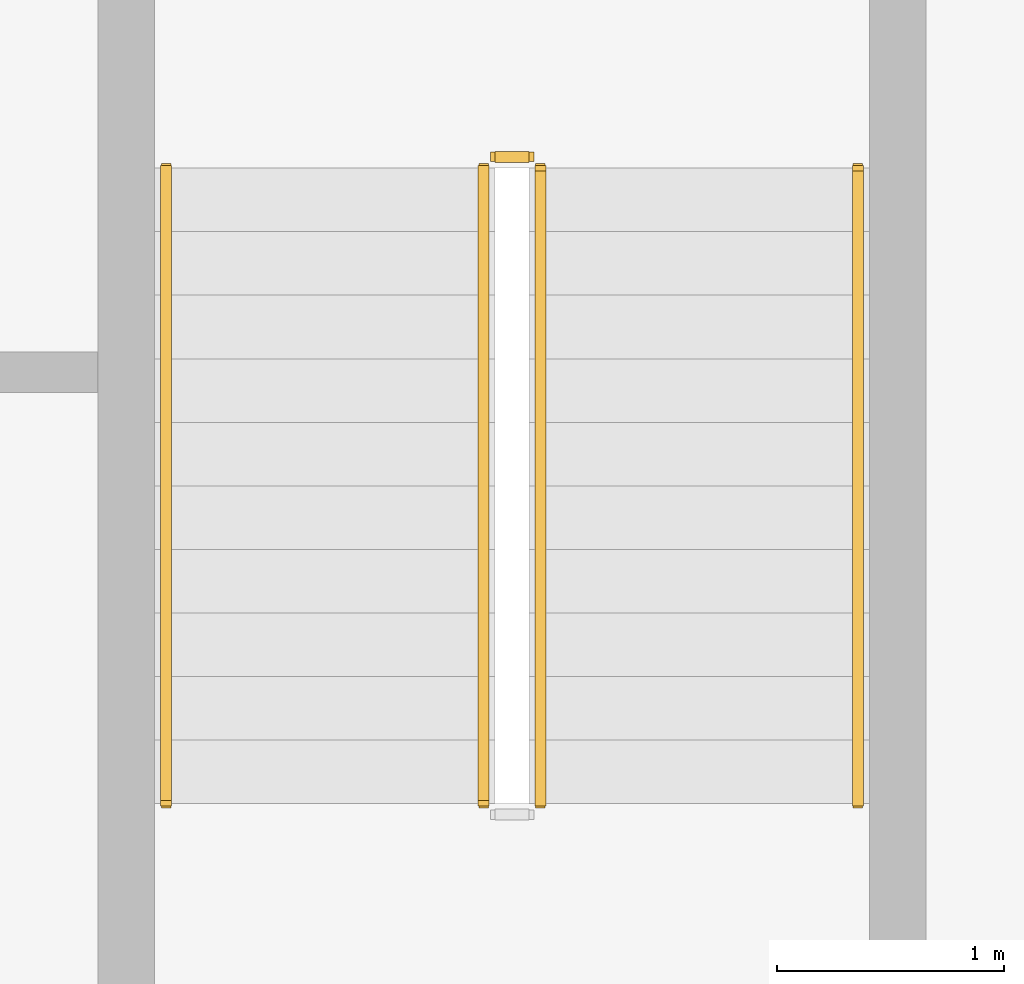
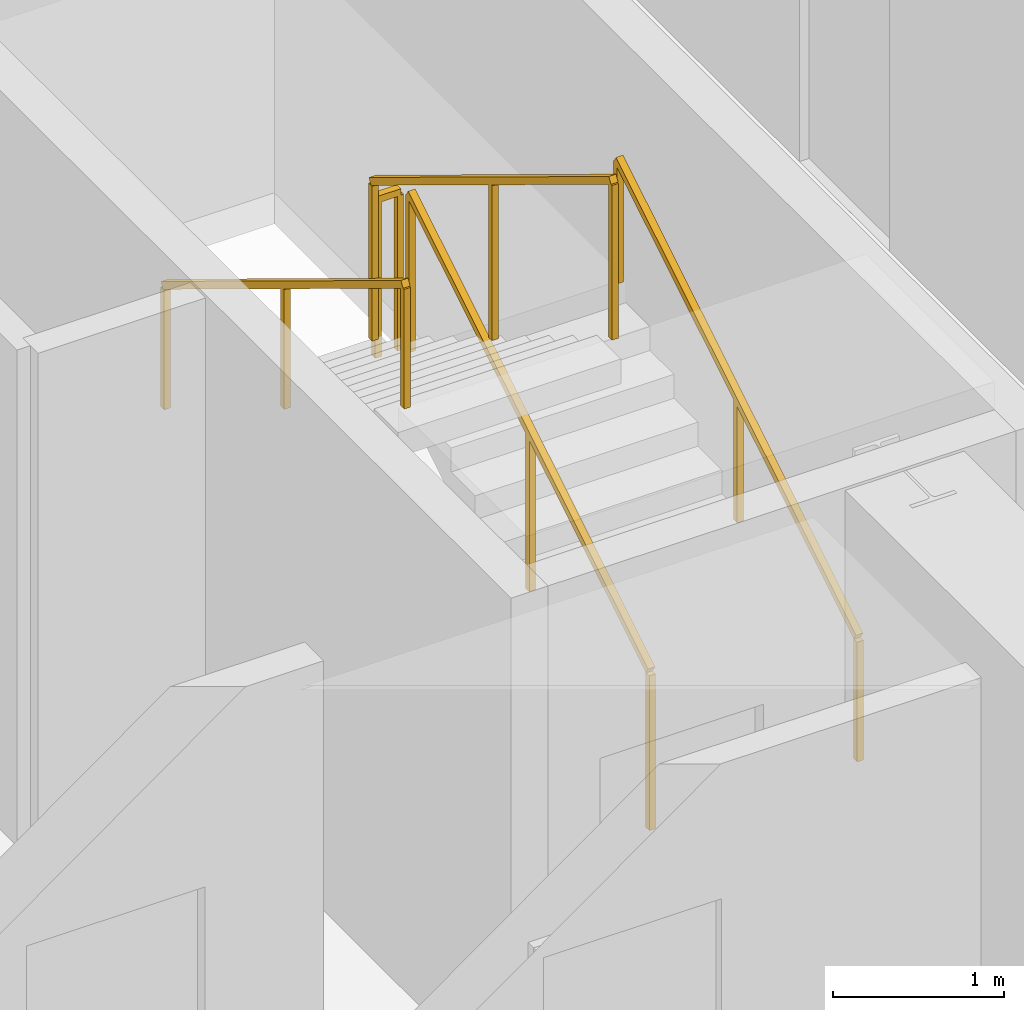
# One storey, part 16 of 16: 5 railings.
"""IFC4 building model written with IfcOpenShell, lengths in metres."""

from ifc_helpers import new_model, si_unit, direction, frame, origin, origin_2d, place, context, subcontext, project, spatial, rectangle, extrude, source, transform, mapped, material, type_object, element, save


model = new_model("IFC4")

# Units and contexts
model_context = context("Model", 3, precision=1e-05, world=origin(), true_north=direction((0.0, 1.0)))
body_context = subcontext(model_context, "Body", "Model", "MODEL_VIEW")
ifc_project = project(units=[si_unit("LENGTHUNIT", "METRE"), si_unit("AREAUNIT", "SQUARE_METRE"), si_unit("VOLUMEUNIT", "CUBIC_METRE"), si_unit("PLANEANGLEUNIT", "RADIAN"), si_unit("MASSUNIT", "GRAM", prefix="KILO")], contexts=[model_context])

# Site, building, storey
site_placement = place(None, origin())
site = spatial("IfcSite", under=ifc_project, at=site_placement, CompositionType="ELEMENT")
building_placement = place(site_placement, origin())
building = spatial("IfcBuilding", under=site, at=building_placement, Name="Vardaveli Station Tower", CompositionType="ELEMENT")
storey_placement = place(building_placement, frame((0.0, 0.0, 192.300048828125)))
storey = spatial("IfcBuildingStorey", under=building, at=storey_placement, Name="L49", CompositionType="ELEMENT", Elevation=192.300048828125)

# Railings
ifc_material = material(Name="Brushed AISI 316 stainless steel", Category="steel")
railing_type_1 = type_object("IfcRailingType", Name="RL-GUARD-1150", PredefinedType="GUARDRAIL", material=ifc_material)
shared_shape_1 = source(origin(), body_context, "Body", "SweptSolid", [
    extrude(rectangle(XDim=0.048095703125, YDim=0.048095703125, at=origin_2d()), frame((0.0, 0.0, 1.1259765625), z_axis=(-1.0, 0.0, 0.0), x_axis=(0.0, -1.0, 0.0)), (0.0, 0.0, 1.0), 0.14990234375),
    extrude(rectangle(XDim=0.0419921875, YDim=0.0419921875, at=origin_2d()), origin(), (0.0, 0.0, 1.0), 1.101806640625),
    extrude(rectangle(XDim=0.0419921875, YDim=0.0419921875, at=origin_2d()), frame((-0.14990234375, 0.0, 0.0)), (0.0, 0.0, 1.0), 1.101806640625),
])
railing_1_placement = place(storey_placement, frame((45.75, 35.25, 1.875)))
element("IfcRailing", 1, at=railing_1_placement, inside=storey, type_object=railing_type_1, Name="L49 ST-3 stair guard 2", PredefinedType="GUARDRAIL", context=body_context, shape_type="MappedRepresentation", body=[
    mapped(shared_shape_1, transform((0.0, 0.0, 0.0), scale=1.0)),
])
shared_shape_2 = source(origin(), body_context, "Body", "SweptSolid", [
    extrude(rectangle(XDim=0.048095703125, YDim=0.048095703125, at=origin_2d()), frame((0.0, 0.0, 1.1259765625), z_axis=(0.0, 0.854169791009, 0.51999420009), x_axis=(-1.0, 0.0, 0.0)), (0.0, 0.0, 1.0), 3.278076171875),
    extrude(rectangle(XDim=0.0419921875, YDim=0.0419921875, at=origin_2d()), origin(), (0.0, 0.0, 1.0), 1.101806640625),
    extrude(rectangle(XDim=0.0419921875, YDim=0.0419921875, at=origin_2d()), frame((0.0, 1.39990234375, 0.852294921875)), (0.0, 0.0, 1.0), 1.101806640625),
    extrude(rectangle(XDim=0.0419921875, YDim=0.0419921875, at=origin_2d()), frame((0.0, 2.800048828125, 1.70458984375)), (0.0, 0.0, 1.0), 1.101806640625),
])
railing_2_placement = place(storey_placement, frame((45.800048828125, 32.39990234375, 0.17041015625)))
element("IfcRailing", 2, at=railing_2_placement, inside=storey, type_object=railing_type_1, Name="L49 ST-3 stair guard 1", PredefinedType="GUARDRAIL", context=body_context, shape_type="MappedRepresentation", body=[
    mapped(shared_shape_2, transform((0.0, 0.0, 0.0), scale=1.0)),
])
shared_shape_3 = source(origin(), body_context, "Body", "SweptSolid", [
    extrude(rectangle(XDim=0.048095703125, YDim=0.048095703125, at=origin_2d()), frame((0.0, 0.0, 1.1259765625), z_axis=(0.0, -0.854169791009, 0.51999420009), x_axis=(1.0, 0.0, 0.0)), (0.0, 0.0, 1.0), 3.278076171875),
    extrude(rectangle(XDim=0.0419921875, YDim=0.0419921875, at=origin_2d()), origin(), (0.0, 0.0, 1.0), 1.101806640625),
    extrude(rectangle(XDim=0.0419921875, YDim=0.0419921875, at=origin_2d()), frame((0.0, -1.39990234375, 0.852294921875)), (0.0, 0.0, 1.0), 1.101806640625),
    extrude(rectangle(XDim=0.0419921875, YDim=0.0419921875, at=origin_2d()), frame((0.0, -2.800048828125, 1.70458984375)), (0.0, 0.0, 1.0), 1.101806640625),
])
railing_3_placement = place(storey_placement, frame((45.550048828125, 35.199951171875, 2.04541015625)))
element("IfcRailing", 3, at=railing_3_placement, inside=storey, type_object=railing_type_1, Name="L49 ST-3 stair guard 3", PredefinedType="GUARDRAIL", context=body_context, shape_type="MappedRepresentation", body=[
    mapped(shared_shape_3, transform((0.0, 0.0, 0.0), scale=1.0)),
])
railing_type_2 = type_object("IfcRailingType", Name="RL-HAND-900", PredefinedType="HANDRAIL", material=ifc_material)
shared_shape_4 = source(origin(), body_context, "Body", "SweptSolid", [
    extrude(rectangle(XDim=0.048095703125, YDim=0.048095703125, at=origin_2d()), frame((0.0, 0.0, 0.8759765625), z_axis=(0.0, 0.854169791009, 0.51999420009), x_axis=(-1.0, 0.0, 0.0)), (0.0, 0.0, 1.0), 3.278076171875),
    extrude(rectangle(XDim=0.0419921875, YDim=0.0419921875, at=origin_2d()), origin(), (0.0, 0.0, 1.0), 0.851806640625),
    extrude(rectangle(XDim=0.0419921875, YDim=0.0419921875, at=origin_2d()), frame((0.0, 1.39990234375, 0.852294921875)), (0.0, 0.0, 1.0), 0.851806640625),
    extrude(rectangle(XDim=0.0419921875, YDim=0.0419921875, at=origin_2d()), frame((0.0, 2.800048828125, 1.70458984375)), (0.0, 0.0, 1.0), 0.851806640625),
])
railing_4_placement = place(storey_placement, frame((47.199951171875, 32.39990234375, 0.17041015625)))
element("IfcRailing", 4, at=railing_4_placement, inside=storey, type_object=railing_type_2, Name="L49 ST-3 stair handrail 1", PredefinedType="HANDRAIL", context=body_context, shape_type="MappedRepresentation", body=[
    mapped(shared_shape_4, transform((0.0, 0.0, 0.0), scale=1.0)),
])
shared_shape_5 = source(origin(), body_context, "Body", "SweptSolid", [
    extrude(rectangle(XDim=0.048095703125, YDim=0.048095703125, at=origin_2d()), frame((0.0, 0.0, 0.8759765625), z_axis=(0.0, -0.854169791009, 0.51999420009), x_axis=(1.0, 0.0, 0.0)), (0.0, 0.0, 1.0), 3.278076171875),
    extrude(rectangle(XDim=0.0419921875, YDim=0.0419921875, at=origin_2d()), origin(), (0.0, 0.0, 1.0), 0.851806640625),
    extrude(rectangle(XDim=0.0419921875, YDim=0.0419921875, at=origin_2d()), frame((0.0, -1.39990234375, 0.852294921875)), (0.0, 0.0, 1.0), 0.851806640625),
    extrude(rectangle(XDim=0.0419921875, YDim=0.0419921875, at=origin_2d()), frame((0.0, -2.800048828125, 1.70458984375)), (0.0, 0.0, 1.0), 0.851806640625),
])
railing_5_placement = place(storey_placement, frame((44.14990234375, 35.199951171875, 2.04541015625)))
element("IfcRailing", 5, at=railing_5_placement, inside=storey, type_object=railing_type_2, Name="L49 ST-3 stair handrail 2", PredefinedType="HANDRAIL", context=body_context, shape_type="MappedRepresentation", body=[
    mapped(shared_shape_5, transform((0.0, 0.0, 0.0), scale=1.0)),
])

save(model, "model.ifc")
